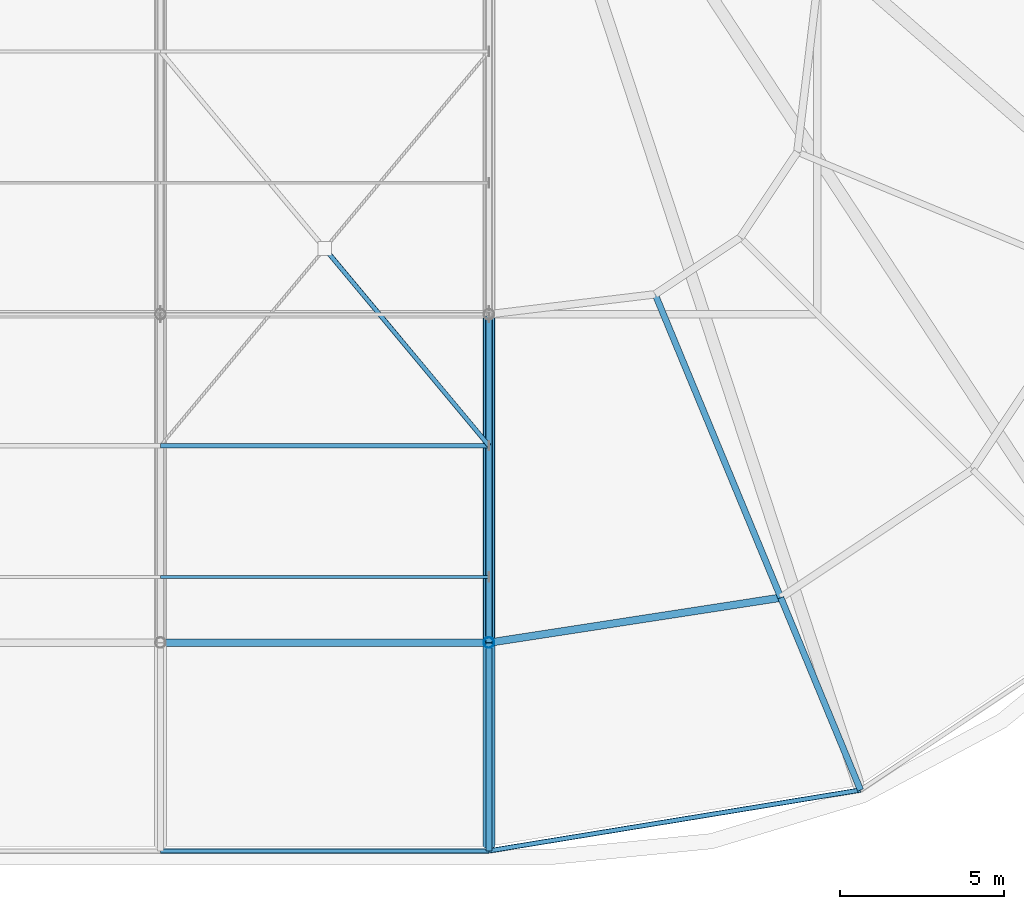
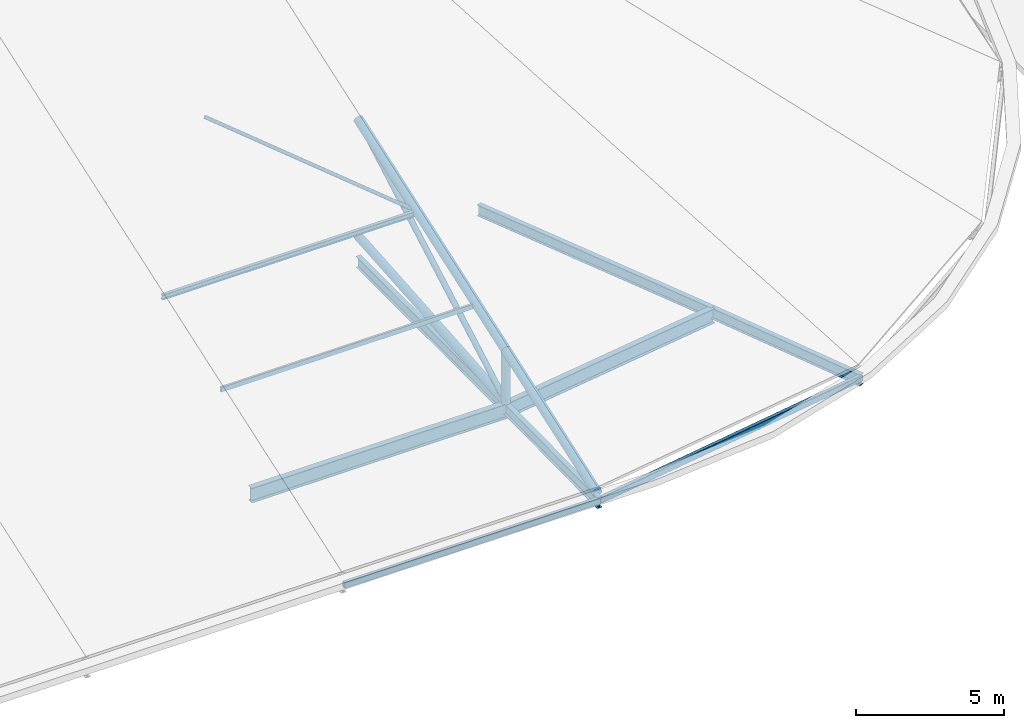
# One storey, part 60 of 93: 8 beams, 8 members.
"""IFC4 building model written with IfcOpenShell, lengths in metres."""

from ifc_helpers import new_model, si_unit, derived_unit, direction, frame, origin, origin_2d_with_axis, place, context, subcontext, project, spatial, hollow_rectangle, hollow_circle, i_section, extrude, material, material_profile, profile_set, type_object, element, save


model = new_model("IFC4")

# Units and contexts
model_context = context("Model", 3, precision=1e-05, world=origin(), true_north=direction((0.0, 1.0)))
body_context = subcontext(model_context, "Body", "Model", "MODEL_VIEW")
ifc_project = project(units=[si_unit("LENGTHUNIT", "METRE"), si_unit("AREAUNIT", "SQUARE_METRE"), si_unit("VOLUMEUNIT", "CUBIC_METRE"), si_unit("PLANEANGLEUNIT", "RADIAN"), si_unit("MASSUNIT", "GRAM", prefix="KILO"), derived_unit("THERMALTRANSMITTANCEUNIT", [(si_unit("POWERUNIT", "WATT"), 1), (si_unit("LENGTHUNIT", "METRE"), -2), (si_unit("THERMODYNAMICTEMPERATUREUNIT", "KELVIN"), -1)])], contexts=[model_context])

# Site, building, storey
site_placement = place(None, origin())
site = spatial("IfcSite", under=ifc_project, at=site_placement, CompositionType="ELEMENT")
building_placement = place(site_placement, origin())
building = spatial("IfcBuilding", under=site, at=building_placement, Name="Cinnabar Yard Market Hall", CompositionType="ELEMENT")
storey_placement = place(building_placement, frame((0.0, 0.0, 23.800048828125)))
storey = spatial("IfcBuildingStorey", under=building, at=storey_placement, Name="ROOF", CompositionType="ELEMENT", Elevation=23.800048828125)

# Beams
ifc_material_1 = material(Name="Steel Grade 350 (350 MPa)", Category="steel")
ifc_material_profile_1 = material_profile(ifc_material_1, i_section(OverallWidth=0.22900390625, OverallDepth=0.611572265625, WebThickness=0.011962890625, FlangeThickness=0.01953125, FilletRadius=0.013916015625, at=origin_2d_with_axis()), Name="610UB125")
ifc_profile_set_1 = profile_set([ifc_material_profile_1], Name="Steel Grade 350 (350 MPa)")
beam_type_1 = type_object("IfcBeamType", Name="BM-B01E", PredefinedType="BEAM", material=ifc_profile_set_1)
beam_1_placement = place(storey_placement, frame((136.0, 14.0, -9.705810546875), z_axis=(1.0, 0.0, 0.0), x_axis=(0.0, 1.0, 0.0)))
element("IfcBeam", 1, at=beam_1_placement, inside=storey, type_object=beam_type_1, Name="South Springer Girder 00366", PredefinedType="BEAM", context=body_context, shape_type="SweptSolid", body=[
    extrude(i_section(OverallWidth=0.22900390625, OverallDepth=0.611572265625, WebThickness=0.011962890625, FlangeThickness=0.01953125, FilletRadius=0.013916015625, at=origin_2d_with_axis()), origin(), (0.0, 0.0, 1.0), 10.0),
])
beam_2_placement = place(storey_placement, frame((146.0, 14.0, -9.705810546875), z_axis=(0.988326460719, 0.152350933845, 0.0), x_axis=(-0.152350933845, 0.988326460719, 0.0)))
element("IfcBeam", 2, at=beam_2_placement, inside=storey, type_object=beam_type_1, Name="Outer Corner Ring SE 00467", PredefinedType="BEAM", context=body_context, shape_type="SweptSolid", body=[
    extrude(i_section(OverallWidth=0.22900390625, OverallDepth=0.611572265625, WebThickness=0.011962890625, FlangeThickness=0.01953125, FilletRadius=0.013916015625, at=origin_2d_with_axis()), origin(), (0.0, 0.0, 1.0), 8.9931640625),
])
ifc_material_2 = material(Name="Steel Grade 300 (300 MPa)", Category="steel")
ifc_material_profile_2 = material_profile(ifc_material_2, i_section(OverallWidth=0.19091796875, OverallDepth=0.46044921875, WebThickness=0.010009765625, FlangeThickness=0.01611328125, FilletRadius=0.011474609375, at=origin_2d_with_axis()), Name="460UB82.1")
ifc_profile_set_2 = profile_set([ifc_material_profile_2], Name="Steel Grade 300 (300 MPa)")
beam_type_2 = type_object("IfcBeamType", Name="BM-B04", PredefinedType="BEAM", material=ifc_profile_set_2)
for number, where, z_axis, x_axis, name in (
    (3, (151.0615234375, 24.60888671875, -9.630126953125), (0.382669478028, -0.923885312463, 0.0), (0.923885312463, 0.382669478028, 0.0), "Corner Backspan Girder SE-2 00478"),
    (4, (146.0, 24.0, -9.630126953125), (0.0, -1.0, 0.0), (1.0, 0.0, 0.0), "South Chhajja Backspan Girder 00544"),
):
    element("IfcBeam", number, at=place(storey_placement, frame(where, z_axis=z_axis, x_axis=x_axis)), inside=storey, type_object=beam_type_2, Name=name, PredefinedType="BEAM", context=body_context, shape_type="SweptSolid", body=[
        extrude(i_section(OverallWidth=0.19091796875, OverallDepth=0.46044921875, WebThickness=0.010009765625, FlangeThickness=0.01611328125, FilletRadius=0.011474609375, at=origin_2d_with_axis()), origin(), (0.0, 0.0, 1.0), 10.0),
    ])
ifc_material_profile_3 = material_profile(ifc_material_2, i_section(OverallWidth=0.19091796875, OverallDepth=0.46044921875, WebThickness=0.010009765625, FlangeThickness=0.01611328125, FilletRadius=0.011474609375, at=origin_2d_with_axis()), Name="460UB82.1")
ifc_profile_set_3 = profile_set([ifc_material_profile_3], Name="Steel Grade 300 (300 MPa)")
beam_type_3 = type_object("IfcBeamType", Name="BM-RF02E", PredefinedType="BEAM", material=ifc_profile_set_3)
for number, where, z_axis, x_axis, name in (
    (5, (154.88818359375, 15.3701171875, -9.630126953125), (0.382659096931, -0.923803285729, -0.012629521412), (0.923876970079, 0.382689618566, 0.0), "Corner Chhajja Cantilever SE-2 00479"),
    (6, (146.0, 14.0, -9.630126953125), (0.0, -0.999920245484, -0.012629436656), (1.0, 0.0, 0.0), "South Chhajja Cantilever Rafter 00545"),
):
    element("IfcBeam", number, at=place(storey_placement, frame(where, z_axis=z_axis, x_axis=x_axis)), inside=storey, type_object=beam_type_3, Name=name, PredefinedType="BEAM", context=body_context, shape_type="SweptSolid", body=[
        extrude(i_section(OverallWidth=0.19091796875, OverallDepth=0.46044921875, WebThickness=0.010009765625, FlangeThickness=0.01611328125, FilletRadius=0.011474609375, at=origin_2d_with_axis()), origin(), (0.0, 0.0, 1.0), 6.340576171875),
    ])
ifc_material_3 = material(Name="Cold-formed steel C350L0", Category="steel")
ifc_material_profile_4 = material_profile(ifc_material_3, hollow_rectangle(XDim=0.14990234375, YDim=0.25, WallThickness=0.009033203125, InnerFilletRadius=0.009033203125, OuterFilletRadius=0.01806640625, at=origin_2d_with_axis()), Name="250x150x9.0RHS")
ifc_profile_set_4 = profile_set([ifc_material_profile_4], Name="Cold-formed steel C350L0")
beam_type_4 = type_object("IfcBeamType", Name="BM-SP01E", PredefinedType="SPANDREL", material=ifc_profile_set_4)
beam_3_placement = place(storey_placement, frame((146.0, 7.659912109375, -9.60498046875), z_axis=(0.986856127469, 0.161601310879, 0.0), x_axis=(-0.161601310879, 0.986856127469, 0.0)))
element("IfcBeam", 7, at=beam_3_placement, inside=storey, type_object=beam_type_4, Name="Eave Fascia Ring SE 00468", PredefinedType="SPANDREL", context=body_context, shape_type="SweptSolid", body=[
    extrude(hollow_rectangle(XDim=0.14990234375, YDim=0.25, WallThickness=0.009033203125, InnerFilletRadius=0.009033203125, OuterFilletRadius=0.01806640625, at=origin_2d_with_axis()), origin(), (0.0, 0.0, 1.0), 11.465087890625),
])
beam_4_placement = place(storey_placement, frame((136.0, 7.659912109375, -9.60498046875), z_axis=(1.0, 0.0, 0.0), x_axis=(0.0, 1.0, 0.0)))
element("IfcBeam", 8, at=beam_4_placement, inside=storey, type_object=beam_type_4, Name="South Eave Fascia 00558", PredefinedType="SPANDREL", context=body_context, shape_type="SweptSolid", body=[
    extrude(hollow_rectangle(XDim=0.14990234375, YDim=0.25, WallThickness=0.009033203125, InnerFilletRadius=0.009033203125, OuterFilletRadius=0.01806640625, at=origin_2d_with_axis()), origin(), (0.0, 0.0, 1.0), 10.0),
])

# Members
ifc_material_profile_5 = material_profile(ifc_material_3, hollow_circle(Radius=0.161865234375, WallThickness=0.009521484375, at=origin_2d_with_axis()), Name="323.9x9.5CHS")
ifc_profile_set_5 = profile_set([ifc_material_profile_5], Name="Cold-formed steel C350L0")
member_type_1 = type_object("IfcMemberType", Name="MB-BC01", PredefinedType="CHORD", material=ifc_profile_set_5)
member_1_placement = place(storey_placement, frame((146.0, 14.0, -9.400146484375), z_axis=(0.0, 0.99681489162, 0.07975005859), x_axis=(-1.0, 0.0, 0.0)))
element("IfcMember", 9, at=member_1_placement, inside=storey, type_object=member_type_1, Name="Hall Truss 146 Bottom Chord 1", PredefinedType="CHORD", context=body_context, shape_type="SweptSolid", body=[
    extrude(hollow_circle(Radius=0.161865234375, WallThickness=0.009521484375, at=origin_2d_with_axis()), origin(), (0.0, 0.0, 1.0), 10.031982421875),
])
ifc_material_profile_6 = material_profile(ifc_material_3, hollow_circle(Radius=0.109619140625, WallThickness=0.00830078125, at=origin_2d_with_axis()), Name="219.1x8.2CHS")
ifc_profile_set_6 = profile_set([ifc_material_profile_6], Name="Cold-formed steel C350L0")
member_type_2 = type_object("IfcMemberType", Name="MB-DG01", PredefinedType="BRACE", material=ifc_profile_set_6)
member_2_placement = place(storey_placement, frame((146.0, 14.0, -9.400146484375), z_axis=(0.0, 0.871057093215, 0.491181779345), x_axis=(-1.0, 0.0, 0.0)))
element("IfcMember", 10, at=member_2_placement, inside=storey, type_object=member_type_2, Name="Hall Truss 146 Diagonal 1", PredefinedType="BRACE", context=body_context, shape_type="SweptSolid", body=[
    extrude(hollow_circle(Radius=0.109619140625, WallThickness=0.00830078125, at=origin_2d_with_axis()), origin(), (0.0, 0.0, 1.0), 11.480224609375),
])
ifc_material_profile_7 = material_profile(ifc_material_3, hollow_rectangle(XDim=0.10009765625, YDim=0.199951171875, WallThickness=0.006103515625, InnerFilletRadius=0.006103515625, OuterFilletRadius=0.011962890625, at=origin_2d_with_axis()), Name="200x100x6.0RHS")
ifc_profile_set_7 = profile_set([ifc_material_profile_7], Name="Cold-formed steel C350L0")
member_type_3 = type_object("IfcMemberType", Name="MB-PU01", PredefinedType="PURLIN", material=ifc_profile_set_7)
member_3_placement = place(storey_placement, frame((136.0, 16.0, -6.5859375), z_axis=(1.0, 0.0, 0.0), x_axis=(0.0, 1.0, 0.0)))
element("IfcMember", 11, at=member_3_placement, inside=storey, type_object=member_type_3, Name="Hall Roof Purlin Y16 X136", PredefinedType="PURLIN", context=body_context, shape_type="SweptSolid", body=[
    extrude(hollow_rectangle(XDim=0.10009765625, YDim=0.199951171875, WallThickness=0.006103515625, InnerFilletRadius=0.006103515625, OuterFilletRadius=0.011962890625, at=origin_2d_with_axis()), origin(), (0.0, 0.0, 1.0), 10.0),
])
ifc_material_profile_8 = material_profile(ifc_material_2, i_section(OverallWidth=0.134033203125, OverallDepth=0.20703125, WebThickness=0.00634765625, FlangeThickness=0.009521484375, FilletRadius=0.0087890625, at=origin_2d_with_axis()), Name="200UB29.8")
ifc_profile_set_8 = profile_set([ifc_material_profile_8], Name="Steel Grade 300 (300 MPa)")
member_type_4 = type_object("IfcMemberType", Name="MB-PU02", PredefinedType="PURLIN", material=ifc_profile_set_8)
member_4_placement = place(storey_placement, frame((136.0, 20.0, -5.193603515625), z_axis=(1.0, 0.0, 0.0), x_axis=(0.0, 1.0, 0.0)))
element("IfcMember", 12, at=member_4_placement, inside=storey, type_object=member_type_4, Name="Hall Roof Purlin Y20 X136", PredefinedType="PURLIN", context=body_context, shape_type="SweptSolid", body=[
    extrude(i_section(OverallWidth=0.134033203125, OverallDepth=0.20703125, WebThickness=0.00634765625, FlangeThickness=0.009521484375, FilletRadius=0.0087890625, at=origin_2d_with_axis()), origin(), (0.0, 0.0, 1.0), 10.0),
])
ifc_material_profile_9 = material_profile(ifc_material_3, hollow_circle(Radius=0.06982421875, WallThickness=0.0048828125, at=origin_2d_with_axis()), Name="139.7x5.0CHS")
ifc_profile_set_9 = profile_set([ifc_material_profile_9], Name="Cold-formed steel C350L0")
member_type_5 = type_object("IfcMemberType", Name="MB-RB01", PredefinedType="BRACE", material=ifc_profile_set_9)
member_5_placement = place(storey_placement, frame((146.0, 20.0, -5.153564453125), z_axis=(-0.61846336012, 0.742174446099, 0.258225025409), x_axis=(-0.768229091176, -0.640175025654, 0.0)))
element("IfcMember", 13, at=member_5_placement, inside=storey, type_object=member_type_5, Name="Roof Plan Split X-Brace 136-20B1", PredefinedType="BRACE", context=body_context, shape_type="SweptSolid", body=[
    extrude(hollow_circle(Radius=0.06982421875, WallThickness=0.0048828125, at=origin_2d_with_axis()), origin(), (0.0, 0.0, 1.0), 7.955078125),
])
ifc_material_4 = material(Name="Spotted-gum glulam-clad steel Grade 350 (350 MPa)", Category="steel")
ifc_material_profile_10 = material_profile(ifc_material_4, hollow_circle(Radius=0.161865234375, WallThickness=0.009521484375, at=origin_2d_with_axis()), Name="323.9x9.5CHS")
ifc_profile_set_10 = profile_set([ifc_material_profile_10], Name="Spotted-gum glulam-clad steel Grade 350 (350 MPa)")
member_type_6 = type_object("IfcMemberType", Name="MB-ST01E", PredefinedType="STRUT", material=ifc_profile_set_10)
member_6_placement = place(storey_placement, frame((146.0, 14.0, -9.400146484375), z_axis=(0.0, 0.0, 1.0), x_axis=(1.0, 0.0, 0.0)))
element("IfcMember", 14, at=member_6_placement, inside=storey, type_object=member_type_6, Name="Truss Bearing Post 146-14", PredefinedType="STRUT", context=body_context, shape_type="SweptSolid", body=[
    extrude(hollow_circle(Radius=0.161865234375, WallThickness=0.009521484375, at=origin_2d_with_axis()), origin(), (0.0, 0.0, 1.0), 2.158203125),
])
ifc_material_profile_11 = material_profile(ifc_material_3, hollow_circle(Radius=0.177734375, WallThickness=0.0126953125, at=origin_2d_with_axis()), Name="355.6x12.7CHS")
ifc_profile_set_11 = profile_set([ifc_material_profile_11], Name="Cold-formed steel C350L0")
member_type_7 = type_object("IfcMemberType", Name="MB-TC01", PredefinedType="CHORD", material=ifc_profile_set_11)
member_7_placement = place(storey_placement, frame((146.0, 14.0, -7.241943359375), z_axis=(0.0, 0.944424919483, 0.328727199147), x_axis=(-1.0, 0.0, 0.0)))
element("IfcMember", 15, at=member_7_placement, inside=storey, type_object=member_type_7, Name="Hall Truss 146 Top Chord 1", PredefinedType="CHORD", context=body_context, shape_type="SweptSolid", body=[
    extrude(hollow_circle(Radius=0.177734375, WallThickness=0.0126953125, at=origin_2d_with_axis()), origin(), (0.0, 0.0, 1.0), 10.58837890625),
])
ifc_material_profile_12 = material_profile(ifc_material_3, hollow_circle(Radius=0.177734375, WallThickness=0.0126953125, at=origin_2d_with_axis()), Name="355.6x12.7CHS")
ifc_profile_set_12 = profile_set([ifc_material_profile_12], Name="Cold-formed steel C350L0")
member_type_8 = type_object("IfcMemberType", Name="MB-TC01E", PredefinedType="CHORD", material=ifc_profile_set_12)
member_8_placement = place(storey_placement, frame((146.0, 14.0, -7.241943359375), z_axis=(0.0, -0.944416495302, -0.328751400609), x_axis=(1.0, 0.0, 0.0)))
element("IfcMember", 16, at=member_8_placement, inside=storey, type_object=member_type_8, Name="South Sloped Eave Rafter 146", PredefinedType="CHORD", context=body_context, shape_type="SweptSolid", body=[
    extrude(hollow_circle(Radius=0.177734375, WallThickness=0.0126953125, at=origin_2d_with_axis()), origin(), (0.0, 0.0, 1.0), 6.56494140625),
])

save(model, "model.ifc")
